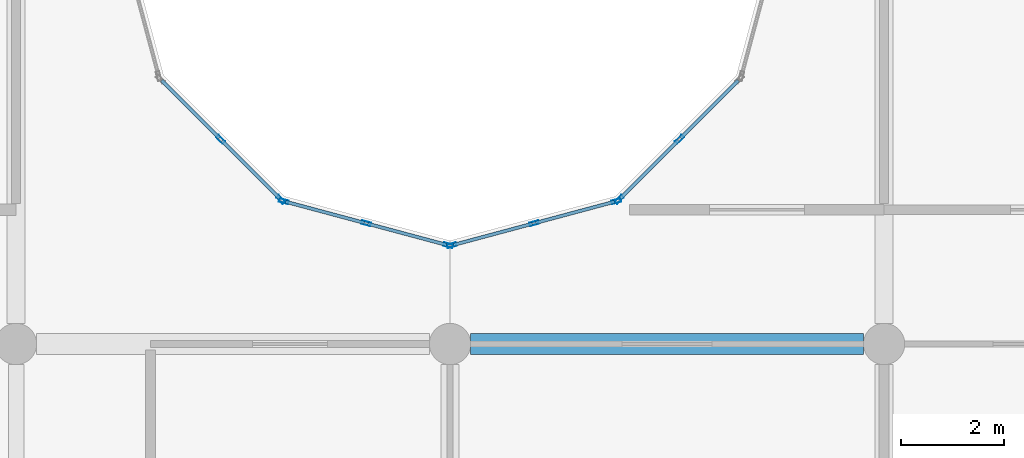
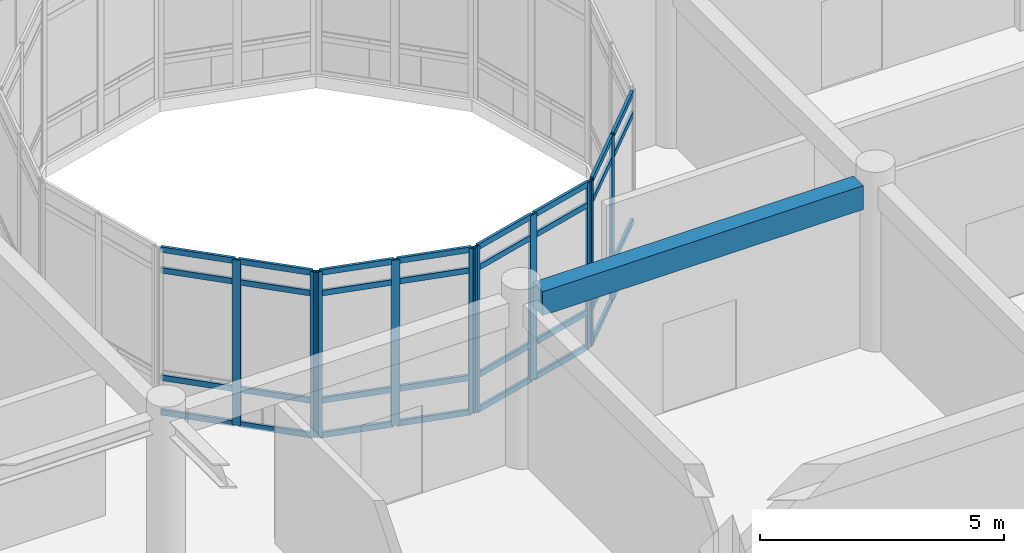
# One storey, part 29 of 144: 42 members, 1 beam, 4 elements without a shape of their own.
"""IFC4 building model written with IfcOpenShell, lengths in metres."""

from ifc_helpers import new_model, si_unit, direction, frame, origin, origin_2d, place, context, subcontext, project, spatial, rectangle, hollow_rectangle, extrude, material, layer, layer_set, material_profile, profile_set, type_object, element, aggregate, save


model = new_model("IFC4")

# Units and contexts
model_context = context("Model", 3, precision=1e-05, world=origin(), true_north=direction((0.0, 1.0)))
body_context = subcontext(model_context, "Body", "Model", "MODEL_VIEW")
ifc_project = project(units=[si_unit("LENGTHUNIT", "METRE"), si_unit("AREAUNIT", "SQUARE_METRE"), si_unit("VOLUMEUNIT", "CUBIC_METRE"), si_unit("PLANEANGLEUNIT", "RADIAN"), si_unit("MASSUNIT", "GRAM", prefix="KILO")], contexts=[model_context])

# Site, building, storey
site_placement = place(None, origin())
site = spatial("IfcSite", under=ifc_project, at=site_placement, CompositionType="ELEMENT")
building_placement = place(site_placement, origin())
building = spatial("IfcBuilding", under=site, at=building_placement, Name="Bramfleet General Hospital", CompositionType="ELEMENT")
storey_placement = place(building_placement, frame((0.0, 0.0, 4.800048828125)))
storey = spatial("IfcBuildingStorey", under=building, at=storey_placement, Name="L01", CompositionType="ELEMENT", Elevation=4.800048828125)

# Beam
ifc_material_1 = material(Name="Concrete C35/45", Category="concrete")
ifc_material_profile_1 = material_profile(ifc_material_1, rectangle(XDim=0.39990234375, YDim=0.60009765625, at=origin_2d()), Name="RC BM 600x400")
ifc_profile_set_1 = profile_set([ifc_material_profile_1], Name="Concrete C35/45")
beam_type = type_object("IfcBeamType", Name="BM-RC600", PredefinedType="BEAM", material=ifc_profile_set_1)
beam_placement = place(storey_placement, frame((118.0, 58.800048828125, 3.849853515625), z_axis=(1.0, 0.0, 0.0), x_axis=(0.0, 1.0, 0.0)))
element("IfcBeam", 1, at=beam_placement, inside=storey, type_object=beam_type, Name="L01 Grid Beam X 14-07", PredefinedType="BEAM", context=body_context, shape_type="SweptSolid", body=[
    extrude(rectangle(XDim=0.39990234375, YDim=0.60009765625, at=origin_2d()), origin(), (0.0, 0.0, 1.0), 7.60009765625),
])

# Curtain wall, members
ifc_material_2 = material(Name="Anodised aluminium and low-E triple glazing", Category="aluminium")
ifc_layer_1 = layer(ifc_material_2, 0.179931640625, Name="CWT-CW-18")
ifc_layer_set_1 = layer_set([ifc_layer_1], Name="Anodised aluminium and low-E triple glazing")
curtain_wall_type_1 = type_object("IfcCurtainWallType", Name="CWT-CW-18", PredefinedType="USERDEFINED", material=ifc_layer_set_1)
curtain_wall_1_placement = place(storey_placement, origin())
curtain_wall_1 = element("IfcCurtainWall", 2, at=curtain_wall_1_placement, inside=storey, type_object=curtain_wall_type_1, Name="L01 East Laboratory Light Court Curtain Wall 2.1", ObjectType="Stick curtain wall", PredefinedType="USERDEFINED")
ifc_material_3 = material(Name="Anodised aluminium EN AW-6060", Category="aluminium")
ifc_material_profile_2 = material_profile(ifc_material_3, hollow_rectangle(XDim=0.070068359375, YDim=0.179931640625, WallThickness=0.00390625, at=origin_2d()), Name="ALU 180x70x4.0")
ifc_profile_set_2 = profile_set([ifc_material_profile_2], Name="Anodised aluminium EN AW-6060")
member_type_1 = type_object("IfcMemberType", Name="CWM-ALU180", PredefinedType="MULLION", material=ifc_profile_set_2)
member_1_placement = place(storey_placement, frame((113.160400390625, 62.760498046875, 0.0), z_axis=(0.0, 0.0, 1.0), x_axis=(0.707106781187, 0.707106781187, 0.0)))
member_1 = element("IfcMember", 3, at=member_1_placement, type_object=member_type_1, Name="CW-18 mullion 2", PredefinedType="MULLION", context=body_context, shape_type="SweptSolid", body=[
    extrude(hollow_rectangle(XDim=0.070068359375, YDim=0.179931640625, WallThickness=0.00390625, at=origin_2d()), origin(), (0.0, 0.0, 1.0), 4.139892578125),
])
member_2_placement = place(storey_placement, frame((114.3251953125, 61.595703125, 0.0), z_axis=(0.0, 0.0, 1.0), x_axis=(0.707106781187, 0.707106781187, 0.0)))
member_2 = element("IfcMember", 4, at=member_2_placement, type_object=member_type_1, Name="CW-18 mullion 3", PredefinedType="MULLION", context=body_context, shape_type="SweptSolid", body=[
    extrude(hollow_rectangle(XDim=0.070068359375, YDim=0.179931640625, WallThickness=0.00390625, at=origin_2d()), origin(), (0.0, 0.0, 1.0), 4.139892578125),
])

ifc_layer_2 = layer(ifc_material_2, 0.179931640625, Name="CWT-CW-11")
ifc_layer_set_2 = layer_set([ifc_layer_2], Name="Anodised aluminium and low-E triple glazing")
curtain_wall_type_2 = type_object("IfcCurtainWallType", Name="CWT-CW-11", PredefinedType="USERDEFINED", material=ifc_layer_set_2)
curtain_wall_2_placement = place(storey_placement, origin())
curtain_wall_2 = element("IfcCurtainWall", 5, at=curtain_wall_2_placement, inside=storey, type_object=curtain_wall_type_2, Name="L01 East Laboratory Light Court Curtain Wall 3.1", ObjectType="Stick curtain wall", PredefinedType="USERDEFINED")
member_3_placement = place(storey_placement, frame((114.3837890625, 61.56201171875, 0.0), z_axis=(0.0, 0.0, 1.0), x_axis=(0.258864833085, 0.965913556273, 0.0)))
member_3 = element("IfcMember", 6, at=member_3_placement, type_object=member_type_1, Name="CW-11 mullion 1", PredefinedType="MULLION", context=body_context, shape_type="SweptSolid", body=[
    extrude(hollow_rectangle(XDim=0.070068359375, YDim=0.179931640625, WallThickness=0.00390625, at=origin_2d()), origin(), (0.0, 0.0, 1.0), 4.139892578125),
])
member_4_placement = place(storey_placement, frame((115.97509765625, 61.135498046875, 0.0), z_axis=(0.0, 0.0, 1.0), x_axis=(0.258864833085, 0.965913556273, 0.0)))
member_4 = element("IfcMember", 7, at=member_4_placement, type_object=member_type_1, Name="CW-11 mullion 2", PredefinedType="MULLION", context=body_context, shape_type="SweptSolid", body=[
    extrude(hollow_rectangle(XDim=0.070068359375, YDim=0.179931640625, WallThickness=0.00390625, at=origin_2d()), origin(), (0.0, 0.0, 1.0), 4.139892578125),
])
member_5_placement = place(storey_placement, frame((117.566162109375, 60.708984375, 0.0), z_axis=(0.0, 0.0, 1.0), x_axis=(0.258864833085, 0.965913556273, 0.0)))
member_5 = element("IfcMember", 8, at=member_5_placement, type_object=member_type_1, Name="CW-11 mullion 3", PredefinedType="MULLION", context=body_context, shape_type="SweptSolid", body=[
    extrude(hollow_rectangle(XDim=0.070068359375, YDim=0.179931640625, WallThickness=0.00390625, at=origin_2d()), origin(), (0.0, 0.0, 1.0), 4.139892578125),
])

ifc_layer_3 = layer(ifc_material_2, 0.179931640625, Name="CWT-CW-12")
ifc_layer_set_3 = layer_set([ifc_layer_3], Name="Anodised aluminium and low-E triple glazing")
curtain_wall_type_3 = type_object("IfcCurtainWallType", Name="CWT-CW-12", PredefinedType="USERDEFINED", material=ifc_layer_set_3)
curtain_wall_3_placement = place(storey_placement, origin())
curtain_wall_3 = element("IfcCurtainWall", 9, at=curtain_wall_3_placement, inside=storey, type_object=curtain_wall_type_3, Name="L01 East Laboratory Light Court Curtain Wall 4.1", ObjectType="Stick curtain wall", PredefinedType="USERDEFINED")
member_6_placement = place(storey_placement, frame((117.6337890625, 60.708984375, 0.0), z_axis=(0.0, 0.0, 1.0), x_axis=(-0.258864833085, 0.965913556273, 0.0)))
member_6 = element("IfcMember", 10, at=member_6_placement, type_object=member_type_1, Name="CW-12 mullion 1", PredefinedType="MULLION", context=body_context, shape_type="SweptSolid", body=[
    extrude(hollow_rectangle(XDim=0.070068359375, YDim=0.179931640625, WallThickness=0.00390625, at=origin_2d()), origin(), (0.0, 0.0, 1.0), 4.139892578125),
])
member_7_placement = place(storey_placement, frame((119.22509765625, 61.135498046875, 0.0), z_axis=(0.0, 0.0, 1.0), x_axis=(-0.258864833085, 0.965913556273, 0.0)))
member_7 = element("IfcMember", 11, at=member_7_placement, type_object=member_type_1, Name="CW-12 mullion 2", PredefinedType="MULLION", context=body_context, shape_type="SweptSolid", body=[
    extrude(hollow_rectangle(XDim=0.070068359375, YDim=0.179931640625, WallThickness=0.00390625, at=origin_2d()), origin(), (0.0, 0.0, 1.0), 4.139892578125),
])
member_8_placement = place(storey_placement, frame((120.816162109375, 61.56201171875, 0.0), z_axis=(0.0, 0.0, 1.0), x_axis=(-0.258864833085, 0.965913556273, 0.0)))
member_8 = element("IfcMember", 12, at=member_8_placement, type_object=member_type_1, Name="CW-12 mullion 3", PredefinedType="MULLION", context=body_context, shape_type="SweptSolid", body=[
    extrude(hollow_rectangle(XDim=0.070068359375, YDim=0.179931640625, WallThickness=0.00390625, at=origin_2d()), origin(), (0.0, 0.0, 1.0), 4.139892578125),
])

ifc_layer_4 = layer(ifc_material_2, 0.179931640625, Name="CWT-CW-13")
ifc_layer_set_4 = layer_set([ifc_layer_4], Name="Anodised aluminium and low-E triple glazing")
curtain_wall_type_4 = type_object("IfcCurtainWallType", Name="CWT-CW-13", PredefinedType="USERDEFINED", material=ifc_layer_set_4)
curtain_wall_4_placement = place(storey_placement, origin())
curtain_wall_4 = element("IfcCurtainWall", 13, at=curtain_wall_4_placement, inside=storey, type_object=curtain_wall_type_4, Name="L01 East Laboratory Light Court Curtain Wall 5.1", ObjectType="Stick curtain wall", PredefinedType="USERDEFINED")
member_9_placement = place(storey_placement, frame((120.874755859375, 61.595703125, 0.0), z_axis=(0.0, 0.0, 1.0), x_axis=(-0.707106781187, 0.707106781187, 0.0)))
member_9 = element("IfcMember", 14, at=member_9_placement, type_object=member_type_1, Name="CW-13 mullion 1", PredefinedType="MULLION", context=body_context, shape_type="SweptSolid", body=[
    extrude(hollow_rectangle(XDim=0.070068359375, YDim=0.179931640625, WallThickness=0.00390625, at=origin_2d()), origin(), (0.0, 0.0, 1.0), 4.139892578125),
])
member_10_placement = place(storey_placement, frame((122.03955078125, 62.760498046875, 0.0), z_axis=(0.0, 0.0, 1.0), x_axis=(-0.707106781187, 0.707106781187, 0.0)))
member_10 = element("IfcMember", 15, at=member_10_placement, type_object=member_type_1, Name="CW-13 mullion 2", PredefinedType="MULLION", context=body_context, shape_type="SweptSolid", body=[
    extrude(hollow_rectangle(XDim=0.070068359375, YDim=0.179931640625, WallThickness=0.00390625, at=origin_2d()), origin(), (0.0, 0.0, 1.0), 4.139892578125),
])

# Member
ifc_material_profile_3 = material_profile(ifc_material_3, hollow_rectangle(XDim=0.06494140625, YDim=0.139892578125, WallThickness=0.00390625, at=origin_2d()), Name="ALU 140x65x4.0")
ifc_profile_set_3 = profile_set([ifc_material_profile_3], Name="Anodised aluminium EN AW-6060")
member_type_2 = type_object("IfcMemberType", Name="CWT-ALU140", PredefinedType="USERDEFINED", material=ifc_profile_set_3)
member_11_placement = place(storey_placement, frame((112.0205078125, 63.900390625, 0.032470703125), z_axis=(0.707106781187, -0.707106781187, 0.0), x_axis=(0.707106781187, 0.707106781187, 0.0)))
member_11 = element("IfcMember", 16, at=member_11_placement, type_object=member_type_2, Name="CW-18 transom 1.1", ObjectType="TRANSOM", PredefinedType="USERDEFINED", context=body_context, shape_type="SweptSolid", body=[
    extrude(hollow_rectangle(XDim=0.06494140625, YDim=0.139892578125, WallThickness=0.00390625, at=origin_2d()), origin(), (0.0, 0.0, 1.0), 1.5771484375),
])

member_12_placement = place(storey_placement, frame((112.0205078125, 63.900390625, 0.89990234375), z_axis=(0.707106781187, -0.707106781187, 0.0), x_axis=(0.707106781187, 0.707106781187, 0.0)))
member_12 = element("IfcMember", 17, at=member_12_placement, type_object=member_type_2, Name="CW-18 transom 1.2", ObjectType="TRANSOM", PredefinedType="USERDEFINED", context=body_context, shape_type="SweptSolid", body=[
    extrude(hollow_rectangle(XDim=0.06494140625, YDim=0.139892578125, WallThickness=0.00390625, at=origin_2d()), origin(), (0.0, 0.0, 1.0), 1.5771484375),
])

member_13_placement = place(storey_placement, frame((112.0205078125, 63.900390625, 3.58984375), z_axis=(0.707106781187, -0.707106781187, 0.0), x_axis=(0.707106781187, 0.707106781187, 0.0)))
member_13 = element("IfcMember", 18, at=member_13_placement, type_object=member_type_2, Name="CW-18 transom 1.3", ObjectType="TRANSOM", PredefinedType="USERDEFINED", context=body_context, shape_type="SweptSolid", body=[
    extrude(hollow_rectangle(XDim=0.06494140625, YDim=0.139892578125, WallThickness=0.00390625, at=origin_2d()), origin(), (0.0, 0.0, 1.0), 1.5771484375),
])

member_14_placement = place(storey_placement, frame((112.0205078125, 63.900390625, 4.107421875), z_axis=(0.707106781187, -0.707106781187, 0.0), x_axis=(0.707106781187, 0.707106781187, 0.0)))
member_14 = element("IfcMember", 19, at=member_14_placement, type_object=member_type_2, Name="CW-18 transom 1.4", ObjectType="TRANSOM", PredefinedType="USERDEFINED", context=body_context, shape_type="SweptSolid", body=[
    extrude(hollow_rectangle(XDim=0.06494140625, YDim=0.139892578125, WallThickness=0.00390625, at=origin_2d()), origin(), (0.0, 0.0, 1.0), 1.5771484375),
])

member_15_placement = place(storey_placement, frame((113.185302734375, 62.73583984375, 0.032470703125), z_axis=(0.707106781187, -0.707106781187, 0.0), x_axis=(0.707106781187, 0.707106781187, 0.0)))
member_15 = element("IfcMember", 20, at=member_15_placement, type_object=member_type_2, Name="CW-18 transom 2.1", ObjectType="TRANSOM", PredefinedType="USERDEFINED", context=body_context, shape_type="SweptSolid", body=[
    extrude(hollow_rectangle(XDim=0.06494140625, YDim=0.139892578125, WallThickness=0.00390625, at=origin_2d()), origin(), (0.0, 0.0, 1.0), 1.5771484375),
])

member_16_placement = place(storey_placement, frame((113.185302734375, 62.73583984375, 0.89990234375), z_axis=(0.707106781187, -0.707106781187, 0.0), x_axis=(0.707106781187, 0.707106781187, 0.0)))
member_16 = element("IfcMember", 21, at=member_16_placement, type_object=member_type_2, Name="CW-18 transom 2.2", ObjectType="TRANSOM", PredefinedType="USERDEFINED", context=body_context, shape_type="SweptSolid", body=[
    extrude(hollow_rectangle(XDim=0.06494140625, YDim=0.139892578125, WallThickness=0.00390625, at=origin_2d()), origin(), (0.0, 0.0, 1.0), 1.5771484375),
])

member_17_placement = place(storey_placement, frame((113.185302734375, 62.73583984375, 3.58984375), z_axis=(0.707106781187, -0.707106781187, 0.0), x_axis=(0.707106781187, 0.707106781187, 0.0)))
member_17 = element("IfcMember", 22, at=member_17_placement, type_object=member_type_2, Name="CW-18 transom 2.3", ObjectType="TRANSOM", PredefinedType="USERDEFINED", context=body_context, shape_type="SweptSolid", body=[
    extrude(hollow_rectangle(XDim=0.06494140625, YDim=0.139892578125, WallThickness=0.00390625, at=origin_2d()), origin(), (0.0, 0.0, 1.0), 1.5771484375),
])

member_18_placement = place(storey_placement, frame((113.185302734375, 62.73583984375, 4.107421875), z_axis=(0.707106781187, -0.707106781187, 0.0), x_axis=(0.707106781187, 0.707106781187, 0.0)))
member_18 = element("IfcMember", 23, at=member_18_placement, type_object=member_type_2, Name="CW-18 transom 2.4", ObjectType="TRANSOM", PredefinedType="USERDEFINED", context=body_context, shape_type="SweptSolid", body=[
    extrude(hollow_rectangle(XDim=0.06494140625, YDim=0.139892578125, WallThickness=0.00390625, at=origin_2d()), origin(), (0.0, 0.0, 1.0), 1.5771484375),
])

aggregate(curtain_wall_1, [member_1, member_2, member_11, member_12, member_13, member_14, member_15, member_16, member_17, member_18])

member_19_placement = place(storey_placement, frame((114.417724609375, 61.552978515625, 0.032470703125), z_axis=(0.965887232725, -0.258963035312, 0.0), x_axis=(0.258963035312, 0.965887232725, 0.0)))
member_19 = element("IfcMember", 24, at=member_19_placement, type_object=member_type_2, Name="CW-11 transom 1.1", ObjectType="TRANSOM", PredefinedType="USERDEFINED", context=body_context, shape_type="SweptSolid", body=[
    extrude(hollow_rectangle(XDim=0.06494140625, YDim=0.139892578125, WallThickness=0.00390625, at=origin_2d()), origin(), (0.0, 0.0, 1.0), 1.5771484375),
])

member_20_placement = place(storey_placement, frame((114.417724609375, 61.552978515625, 0.89990234375), z_axis=(0.965887232725, -0.258963035312, 0.0), x_axis=(0.258963035312, 0.965887232725, 0.0)))
member_20 = element("IfcMember", 25, at=member_20_placement, type_object=member_type_2, Name="CW-11 transom 1.2", ObjectType="TRANSOM", PredefinedType="USERDEFINED", context=body_context, shape_type="SweptSolid", body=[
    extrude(hollow_rectangle(XDim=0.06494140625, YDim=0.139892578125, WallThickness=0.00390625, at=origin_2d()), origin(), (0.0, 0.0, 1.0), 1.5771484375),
])

member_21_placement = place(storey_placement, frame((114.417724609375, 61.552978515625, 3.58984375), z_axis=(0.965887232725, -0.258963035312, 0.0), x_axis=(0.258963035312, 0.965887232725, 0.0)))
member_21 = element("IfcMember", 26, at=member_21_placement, type_object=member_type_2, Name="CW-11 transom 1.3", ObjectType="TRANSOM", PredefinedType="USERDEFINED", context=body_context, shape_type="SweptSolid", body=[
    extrude(hollow_rectangle(XDim=0.06494140625, YDim=0.139892578125, WallThickness=0.00390625, at=origin_2d()), origin(), (0.0, 0.0, 1.0), 1.5771484375),
])

member_22_placement = place(storey_placement, frame((114.417724609375, 61.552978515625, 4.107421875), z_axis=(0.965887232725, -0.258963035312, 0.0), x_axis=(0.258963035312, 0.965887232725, 0.0)))
member_22 = element("IfcMember", 27, at=member_22_placement, type_object=member_type_2, Name="CW-11 transom 1.4", ObjectType="TRANSOM", PredefinedType="USERDEFINED", context=body_context, shape_type="SweptSolid", body=[
    extrude(hollow_rectangle(XDim=0.06494140625, YDim=0.139892578125, WallThickness=0.00390625, at=origin_2d()), origin(), (0.0, 0.0, 1.0), 1.5771484375),
])

member_23_placement = place(storey_placement, frame((116.0087890625, 61.12646484375, 0.032470703125), z_axis=(0.965897610877, -0.258924323505, 0.0), x_axis=(0.258924323505, 0.965897610877, 0.0)))
member_23 = element("IfcMember", 28, at=member_23_placement, type_object=member_type_2, Name="CW-11 transom 2.1", ObjectType="TRANSOM", PredefinedType="USERDEFINED", context=body_context, shape_type="SweptSolid", body=[
    extrude(hollow_rectangle(XDim=0.06494140625, YDim=0.139892578125, WallThickness=0.00390625, at=origin_2d()), origin(), (0.0, 0.0, 1.0), 1.577392578125),
])

member_24_placement = place(storey_placement, frame((116.0087890625, 61.12646484375, 0.89990234375), z_axis=(0.965897610877, -0.258924323505, 0.0), x_axis=(0.258924323505, 0.965897610877, 0.0)))
member_24 = element("IfcMember", 29, at=member_24_placement, type_object=member_type_2, Name="CW-11 transom 2.2", ObjectType="TRANSOM", PredefinedType="USERDEFINED", context=body_context, shape_type="SweptSolid", body=[
    extrude(hollow_rectangle(XDim=0.06494140625, YDim=0.139892578125, WallThickness=0.00390625, at=origin_2d()), origin(), (0.0, 0.0, 1.0), 1.577392578125),
])

member_25_placement = place(storey_placement, frame((116.0087890625, 61.12646484375, 3.58984375), z_axis=(0.965897610877, -0.258924323505, 0.0), x_axis=(0.258924323505, 0.965897610877, 0.0)))
member_25 = element("IfcMember", 30, at=member_25_placement, type_object=member_type_2, Name="CW-11 transom 2.3", ObjectType="TRANSOM", PredefinedType="USERDEFINED", context=body_context, shape_type="SweptSolid", body=[
    extrude(hollow_rectangle(XDim=0.06494140625, YDim=0.139892578125, WallThickness=0.00390625, at=origin_2d()), origin(), (0.0, 0.0, 1.0), 1.577392578125),
])

member_26_placement = place(storey_placement, frame((116.0087890625, 61.12646484375, 4.107421875), z_axis=(0.965897610877, -0.258924323505, 0.0), x_axis=(0.258924323505, 0.965897610877, 0.0)))
member_26 = element("IfcMember", 31, at=member_26_placement, type_object=member_type_2, Name="CW-11 transom 2.4", ObjectType="TRANSOM", PredefinedType="USERDEFINED", context=body_context, shape_type="SweptSolid", body=[
    extrude(hollow_rectangle(XDim=0.06494140625, YDim=0.139892578125, WallThickness=0.00390625, at=origin_2d()), origin(), (0.0, 0.0, 1.0), 1.577392578125),
])

aggregate(curtain_wall_2, [member_3, member_4, member_5, member_19, member_20, member_21, member_22, member_23, member_24, member_25, member_26])

member_27_placement = place(storey_placement, frame((117.667724609375, 60.718017578125, 0.032470703125), z_axis=(0.965887232725, 0.258963035312, 0.0), x_axis=(-0.258963035312, 0.965887232725, 0.0)))
member_27 = element("IfcMember", 32, at=member_27_placement, type_object=member_type_2, Name="CW-12 transom 1.1", ObjectType="TRANSOM", PredefinedType="USERDEFINED", context=body_context, shape_type="SweptSolid", body=[
    extrude(hollow_rectangle(XDim=0.06494140625, YDim=0.139892578125, WallThickness=0.00390625, at=origin_2d()), origin(), (0.0, 0.0, 1.0), 1.5771484375),
])

member_28_placement = place(storey_placement, frame((117.667724609375, 60.718017578125, 0.89990234375), z_axis=(0.965887232725, 0.258963035312, 0.0), x_axis=(-0.258963035312, 0.965887232725, 0.0)))
member_28 = element("IfcMember", 33, at=member_28_placement, type_object=member_type_2, Name="CW-12 transom 1.2", ObjectType="TRANSOM", PredefinedType="USERDEFINED", context=body_context, shape_type="SweptSolid", body=[
    extrude(hollow_rectangle(XDim=0.06494140625, YDim=0.139892578125, WallThickness=0.00390625, at=origin_2d()), origin(), (0.0, 0.0, 1.0), 1.5771484375),
])

member_29_placement = place(storey_placement, frame((117.667724609375, 60.718017578125, 3.58984375), z_axis=(0.965887232725, 0.258963035312, 0.0), x_axis=(-0.258963035312, 0.965887232725, 0.0)))
member_29 = element("IfcMember", 34, at=member_29_placement, type_object=member_type_2, Name="CW-12 transom 1.3", ObjectType="TRANSOM", PredefinedType="USERDEFINED", context=body_context, shape_type="SweptSolid", body=[
    extrude(hollow_rectangle(XDim=0.06494140625, YDim=0.139892578125, WallThickness=0.00390625, at=origin_2d()), origin(), (0.0, 0.0, 1.0), 1.5771484375),
])

member_30_placement = place(storey_placement, frame((117.667724609375, 60.718017578125, 4.107421875), z_axis=(0.965887232725, 0.258963035312, 0.0), x_axis=(-0.258963035312, 0.965887232725, 0.0)))
member_30 = element("IfcMember", 35, at=member_30_placement, type_object=member_type_2, Name="CW-12 transom 1.4", ObjectType="TRANSOM", PredefinedType="USERDEFINED", context=body_context, shape_type="SweptSolid", body=[
    extrude(hollow_rectangle(XDim=0.06494140625, YDim=0.139892578125, WallThickness=0.00390625, at=origin_2d()), origin(), (0.0, 0.0, 1.0), 1.5771484375),
])

member_31_placement = place(storey_placement, frame((119.2587890625, 61.14453125, 0.032470703125), z_axis=(0.965897610877, 0.258924323505, 0.0), x_axis=(-0.258924323505, 0.965897610877, 0.0)))
member_31 = element("IfcMember", 36, at=member_31_placement, type_object=member_type_2, Name="CW-12 transom 2.1", ObjectType="TRANSOM", PredefinedType="USERDEFINED", context=body_context, shape_type="SweptSolid", body=[
    extrude(hollow_rectangle(XDim=0.06494140625, YDim=0.139892578125, WallThickness=0.00390625, at=origin_2d()), origin(), (0.0, 0.0, 1.0), 1.577392578125),
])

member_32_placement = place(storey_placement, frame((119.2587890625, 61.14453125, 0.89990234375), z_axis=(0.965897610877, 0.258924323505, 0.0), x_axis=(-0.258924323505, 0.965897610877, 0.0)))
member_32 = element("IfcMember", 37, at=member_32_placement, type_object=member_type_2, Name="CW-12 transom 2.2", ObjectType="TRANSOM", PredefinedType="USERDEFINED", context=body_context, shape_type="SweptSolid", body=[
    extrude(hollow_rectangle(XDim=0.06494140625, YDim=0.139892578125, WallThickness=0.00390625, at=origin_2d()), origin(), (0.0, 0.0, 1.0), 1.577392578125),
])

member_33_placement = place(storey_placement, frame((119.2587890625, 61.14453125, 3.58984375), z_axis=(0.965897610877, 0.258924323505, 0.0), x_axis=(-0.258924323505, 0.965897610877, 0.0)))
member_33 = element("IfcMember", 38, at=member_33_placement, type_object=member_type_2, Name="CW-12 transom 2.3", ObjectType="TRANSOM", PredefinedType="USERDEFINED", context=body_context, shape_type="SweptSolid", body=[
    extrude(hollow_rectangle(XDim=0.06494140625, YDim=0.139892578125, WallThickness=0.00390625, at=origin_2d()), origin(), (0.0, 0.0, 1.0), 1.577392578125),
])

member_34_placement = place(storey_placement, frame((119.2587890625, 61.14453125, 4.107421875), z_axis=(0.965897610877, 0.258924323505, 0.0), x_axis=(-0.258924323505, 0.965897610877, 0.0)))
member_34 = element("IfcMember", 39, at=member_34_placement, type_object=member_type_2, Name="CW-12 transom 2.4", ObjectType="TRANSOM", PredefinedType="USERDEFINED", context=body_context, shape_type="SweptSolid", body=[
    extrude(hollow_rectangle(XDim=0.06494140625, YDim=0.139892578125, WallThickness=0.00390625, at=origin_2d()), origin(), (0.0, 0.0, 1.0), 1.577392578125),
])

aggregate(curtain_wall_3, [member_6, member_7, member_8, member_27, member_28, member_29, member_30, member_31, member_32, member_33, member_34])

member_35_placement = place(storey_placement, frame((120.8994140625, 61.62060546875, 0.032470703125), z_axis=(0.707106781187, 0.707106781187, 0.0), x_axis=(-0.707106781187, 0.707106781187, 0.0)))
member_35 = element("IfcMember", 40, at=member_35_placement, type_object=member_type_2, Name="CW-13 transom 1.1", ObjectType="TRANSOM", PredefinedType="USERDEFINED", context=body_context, shape_type="SweptSolid", body=[
    extrude(hollow_rectangle(XDim=0.06494140625, YDim=0.139892578125, WallThickness=0.00390625, at=origin_2d()), origin(), (0.0, 0.0, 1.0), 1.5771484375),
])

member_36_placement = place(storey_placement, frame((120.8994140625, 61.62060546875, 0.89990234375), z_axis=(0.707106781187, 0.707106781187, 0.0), x_axis=(-0.707106781187, 0.707106781187, 0.0)))
member_36 = element("IfcMember", 41, at=member_36_placement, type_object=member_type_2, Name="CW-13 transom 1.2", ObjectType="TRANSOM", PredefinedType="USERDEFINED", context=body_context, shape_type="SweptSolid", body=[
    extrude(hollow_rectangle(XDim=0.06494140625, YDim=0.139892578125, WallThickness=0.00390625, at=origin_2d()), origin(), (0.0, 0.0, 1.0), 1.5771484375),
])

member_37_placement = place(storey_placement, frame((120.8994140625, 61.62060546875, 3.58984375), z_axis=(0.707106781187, 0.707106781187, 0.0), x_axis=(-0.707106781187, 0.707106781187, 0.0)))
member_37 = element("IfcMember", 42, at=member_37_placement, type_object=member_type_2, Name="CW-13 transom 1.3", ObjectType="TRANSOM", PredefinedType="USERDEFINED", context=body_context, shape_type="SweptSolid", body=[
    extrude(hollow_rectangle(XDim=0.06494140625, YDim=0.139892578125, WallThickness=0.00390625, at=origin_2d()), origin(), (0.0, 0.0, 1.0), 1.5771484375),
])

member_38_placement = place(storey_placement, frame((120.8994140625, 61.62060546875, 4.107421875), z_axis=(0.707106781187, 0.707106781187, 0.0), x_axis=(-0.707106781187, 0.707106781187, 0.0)))
member_38 = element("IfcMember", 43, at=member_38_placement, type_object=member_type_2, Name="CW-13 transom 1.4", ObjectType="TRANSOM", PredefinedType="USERDEFINED", context=body_context, shape_type="SweptSolid", body=[
    extrude(hollow_rectangle(XDim=0.06494140625, YDim=0.139892578125, WallThickness=0.00390625, at=origin_2d()), origin(), (0.0, 0.0, 1.0), 1.5771484375),
])

member_39_placement = place(storey_placement, frame((122.064208984375, 62.78515625, 0.032470703125), z_axis=(0.707106781187, 0.707106781187, 0.0), x_axis=(-0.707106781187, 0.707106781187, 0.0)))
member_39 = element("IfcMember", 44, at=member_39_placement, type_object=member_type_2, Name="CW-13 transom 2.1", ObjectType="TRANSOM", PredefinedType="USERDEFINED", context=body_context, shape_type="SweptSolid", body=[
    extrude(hollow_rectangle(XDim=0.06494140625, YDim=0.139892578125, WallThickness=0.00390625, at=origin_2d()), origin(), (0.0, 0.0, 1.0), 1.5771484375),
])

member_40_placement = place(storey_placement, frame((122.064208984375, 62.78515625, 0.89990234375), z_axis=(0.707106781187, 0.707106781187, 0.0), x_axis=(-0.707106781187, 0.707106781187, 0.0)))
member_40 = element("IfcMember", 45, at=member_40_placement, type_object=member_type_2, Name="CW-13 transom 2.2", ObjectType="TRANSOM", PredefinedType="USERDEFINED", context=body_context, shape_type="SweptSolid", body=[
    extrude(hollow_rectangle(XDim=0.06494140625, YDim=0.139892578125, WallThickness=0.00390625, at=origin_2d()), origin(), (0.0, 0.0, 1.0), 1.5771484375),
])

member_41_placement = place(storey_placement, frame((122.064208984375, 62.78515625, 3.58984375), z_axis=(0.707106781187, 0.707106781187, 0.0), x_axis=(-0.707106781187, 0.707106781187, 0.0)))
member_41 = element("IfcMember", 46, at=member_41_placement, type_object=member_type_2, Name="CW-13 transom 2.3", ObjectType="TRANSOM", PredefinedType="USERDEFINED", context=body_context, shape_type="SweptSolid", body=[
    extrude(hollow_rectangle(XDim=0.06494140625, YDim=0.139892578125, WallThickness=0.00390625, at=origin_2d()), origin(), (0.0, 0.0, 1.0), 1.5771484375),
])

member_42_placement = place(storey_placement, frame((122.064208984375, 62.78515625, 4.107421875), z_axis=(0.707106781187, 0.707106781187, 0.0), x_axis=(-0.707106781187, 0.707106781187, 0.0)))
member_42 = element("IfcMember", 47, at=member_42_placement, type_object=member_type_2, Name="CW-13 transom 2.4", ObjectType="TRANSOM", PredefinedType="USERDEFINED", context=body_context, shape_type="SweptSolid", body=[
    extrude(hollow_rectangle(XDim=0.06494140625, YDim=0.139892578125, WallThickness=0.00390625, at=origin_2d()), origin(), (0.0, 0.0, 1.0), 1.5771484375),
])

aggregate(curtain_wall_4, [member_9, member_10, member_35, member_36, member_37, member_38, member_39, member_40, member_41, member_42])

save(model, "model.ifc")
